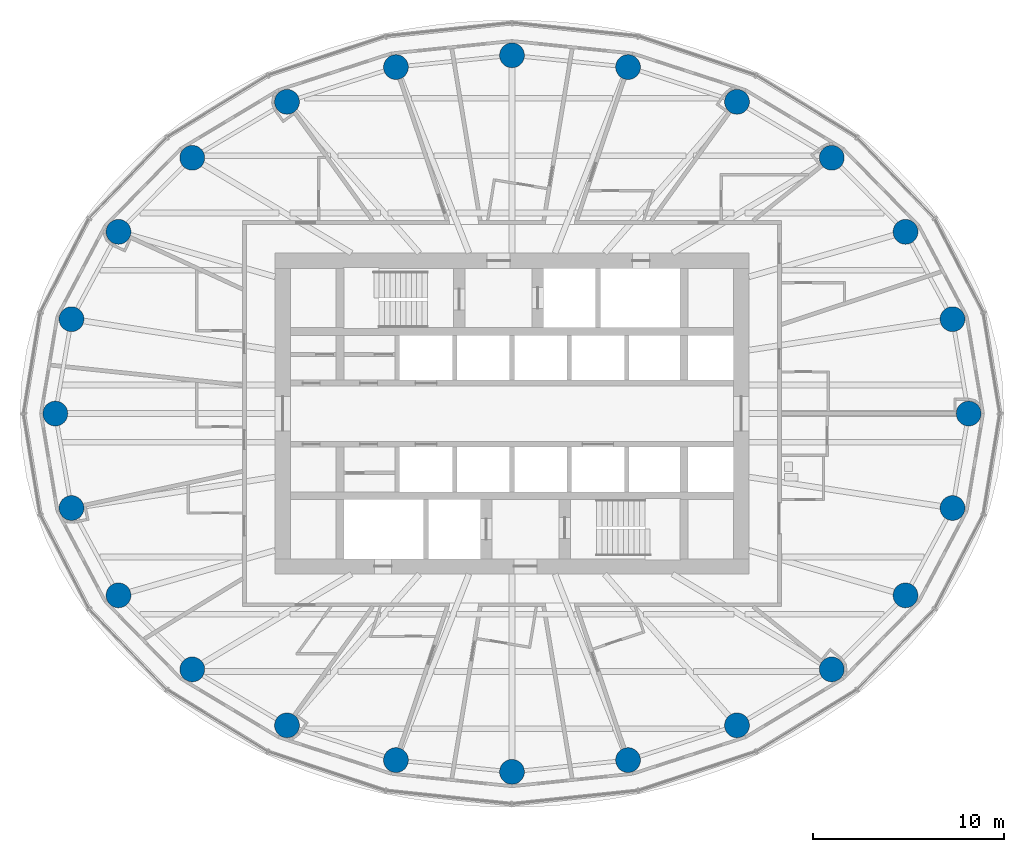
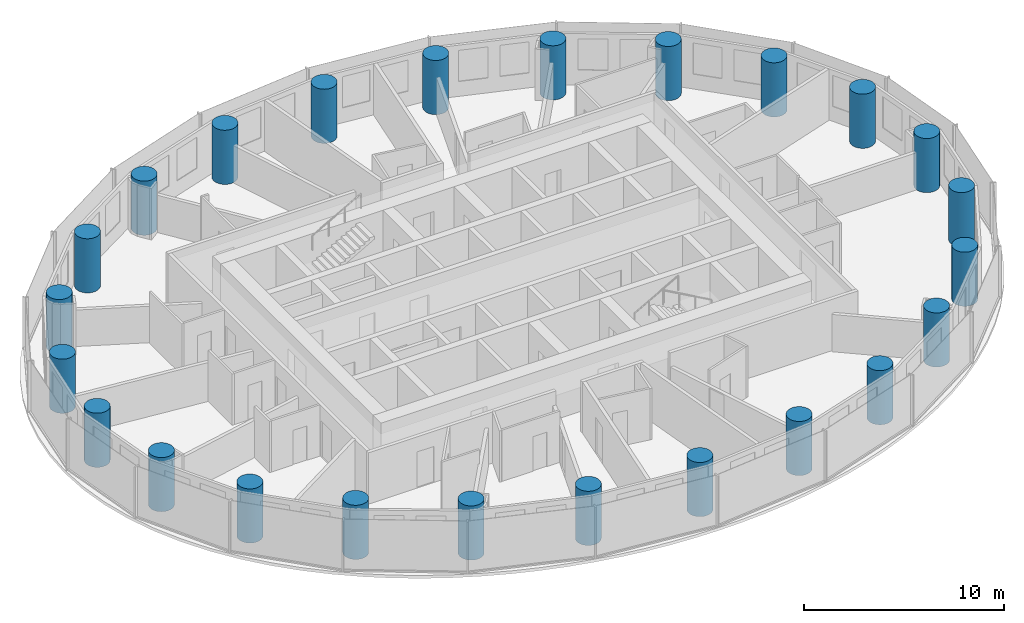
# One storey, part 1 of 13: 24 columns.
"""IFC4 building model written with IfcOpenShell, lengths in metres."""

from ifc_helpers import new_model, si_unit, direction, frame, origin, origin_2d, place, context, subcontext, project, spatial, circle, extrude, material, material_profile, profile_set, type_object, element, save


model = new_model("IFC4")

# Units and contexts
model_context = context("Model", 3, precision=1e-05, world=origin(), true_north=direction((0.0, 1.0)))
body_context = subcontext(model_context, "Body", "Model", "MODEL_VIEW")
ifc_project = project(units=[si_unit("LENGTHUNIT", "METRE"), si_unit("AREAUNIT", "SQUARE_METRE"), si_unit("VOLUMEUNIT", "CUBIC_METRE"), si_unit("PLANEANGLEUNIT", "RADIAN"), si_unit("MASSUNIT", "GRAM", prefix="KILO")], contexts=[model_context])

# Site, building, storey
site_placement = place(None, origin())
site = spatial("IfcSite", under=ifc_project, at=site_placement, CompositionType="ELEMENT")
building_placement = place(site_placement, origin())
building = spatial("IfcBuilding", under=site, at=building_placement, Name="Hankou Lantern Tower", CompositionType="ELEMENT")
storey_placement = place(building_placement, frame((0.0, 0.0, 105.60009765625)))
storey = spatial("IfcBuildingStorey", under=building, at=storey_placement, Name="L26", CompositionType="ELEMENT", Elevation=105.60009765625)

# Columns
ifc_material = material(Name="Concrete C60", Category="concrete")
ifc_material_profile = material_profile(ifc_material, circle(Radius=0.64990234375, at=origin_2d()), Name="RC D1300")
ifc_profile_set = profile_set([ifc_material_profile], Name="Concrete C60")
column_type = type_object("IfcColumnType", Name="TC3 PERIMETER COLUMN RC D1300", PredefinedType="COLUMN", material=ifc_profile_set)
for number, where, z_axis, x_axis, name in (
    (1, (23.89990234375, 0.0, 0.0), (0.0, 0.0, 1.0), (1.0, 0.0, 0.0), "Column R01 L26"),
    (2, (23.054931640625, 4.942138671875, 0.0), (0.0, 0.0, 1.0), (1.0, 0.0, 0.0), "Column R02 L26"),
    (3, (20.595703125, 9.5126953125, 0.0), (0.0, 0.0, 1.0), (1.0, 0.0, 0.0), "Column R03 L26"),
    (4, (16.73388671875, 13.38720703125, 0.0), (0.0, 0.0, 1.0), (1.0, 0.0, 0.0), "Column R04 L26"),
    (5, (11.775390625, 16.31640625, 0.0), (0.0, 0.0, 1.0), (1.0, 0.0, 0.0), "Column R05 L26"),
    (6, (6.073974609375, 18.134521484375, 0.0), (0.0, 0.0, 1.0), (1.0, 0.0, 0.0), "Column R06 L26"),
    (7, (0.0, 18.75, 0.0), (0.0, 0.0, 1.0), (1.0, 0.0, 0.0), "Column R07 L26"),
    (8, (-6.073974609375, 18.134521484375, 0.0), (0.0, 0.0, 1.0), (1.0, 0.0, 0.0), "Column R08 L26"),
    (9, (-11.775390625, 16.31640625, 0.0), (0.0, 0.0, 1.0), (1.0, 0.0, 0.0), "Column R09 L26"),
    (10, (-16.73388671875, 13.38720703125, 0.0), (0.0, 0.0, 1.0), (1.0, 0.0, 0.0), "Column R10 L26"),
    (11, (-20.595703125, 9.5126953125, 0.0), (0.0, 0.0, 1.0), (1.0, 0.0, 0.0), "Column R11 L26"),
    (12, (-23.054931640625, 4.942138671875, 0.0), (0.0, 0.0, 1.0), (1.0, 0.0, 0.0), "Column R12 L26"),
    (13, (-23.89990234375, 0.0, 0.0), (0.0, 0.0, 1.0), (1.0, 0.0, 0.0), "Column R13 L26"),
    (14, (-23.054931640625, -4.942138671875, 0.0), (0.0, 0.0, 1.0), (1.0, 0.0, 0.0), "Column R14 L26"),
    (15, (-20.595703125, -9.5126953125, 0.0), (0.0, 0.0, 1.0), (1.0, 0.0, 0.0), "Column R15 L26"),
    (16, (-16.73388671875, -13.38720703125, 0.0), (0.0, 0.0, 1.0), (1.0, 0.0, 0.0), "Column R16 L26"),
    (17, (-11.775390625, -16.31640625, 0.0), (0.0, 0.0, 1.0), (1.0, 0.0, 0.0), "Column R17 L26"),
    (18, (-6.073974609375, -18.134521484375, 0.0), (0.0, 0.0, 1.0), (1.0, 0.0, 0.0), "Column R18 L26"),
    (19, (0.0, -18.75, 0.0), (0.0, 0.0, 1.0), (1.0, 0.0, 0.0), "Column R19 L26"),
    (20, (6.073974609375, -18.134521484375, 0.0), (0.0, 0.0, 1.0), (1.0, 0.0, 0.0), "Column R20 L26"),
    (21, (11.775390625, -16.31640625, 0.0), (0.0, 0.0, 1.0), (1.0, 0.0, 0.0), "Column R21 L26"),
    (22, (16.73388671875, -13.38720703125, 0.0), (0.0, 0.0, 1.0), (1.0, 0.0, 0.0), "Column R22 L26"),
    (23, (20.595703125, -9.5126953125, 0.0), (0.0, 0.0, 1.0), (1.0, 0.0, 0.0), "Column R23 L26"),
    (24, (23.054931640625, -4.942138671875, 0.0), (0.0, 0.0, 1.0), (1.0, 0.0, 0.0), "Column R24 L26"),
):
    element("IfcColumn", number, at=place(storey_placement, frame(where, z_axis=z_axis, x_axis=x_axis)), inside=storey, type_object=column_type, Name=name, PredefinedType="COLUMN", context=body_context, shape_type="SweptSolid", body=[
        extrude(circle(Radius=0.64990234375, at=origin_2d()), origin(), (0.0, 0.0, 1.0), 3.2998046875),
    ])

save(model, "model.ifc")
